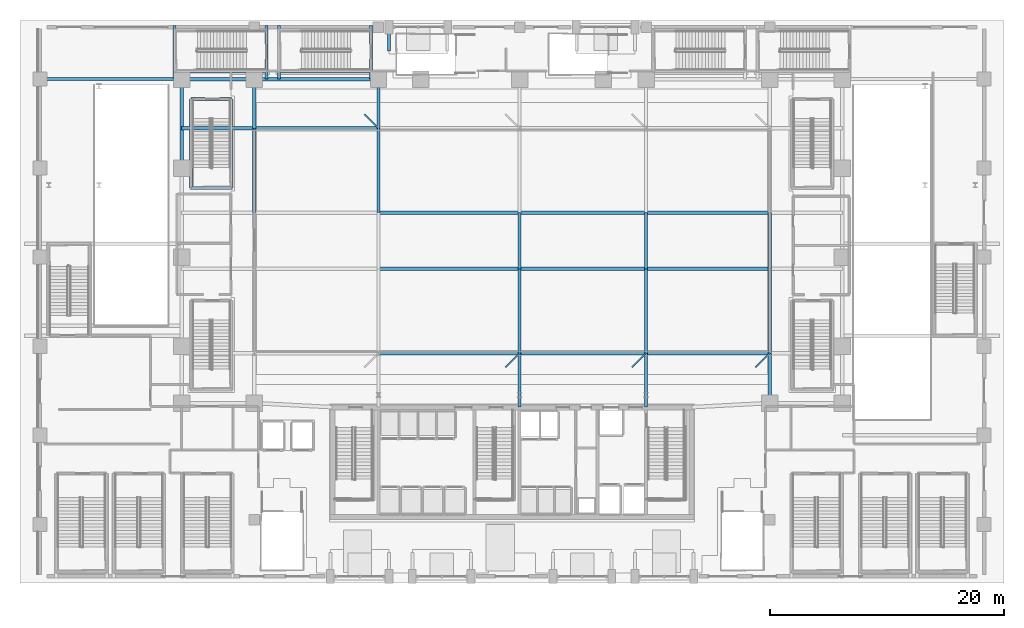
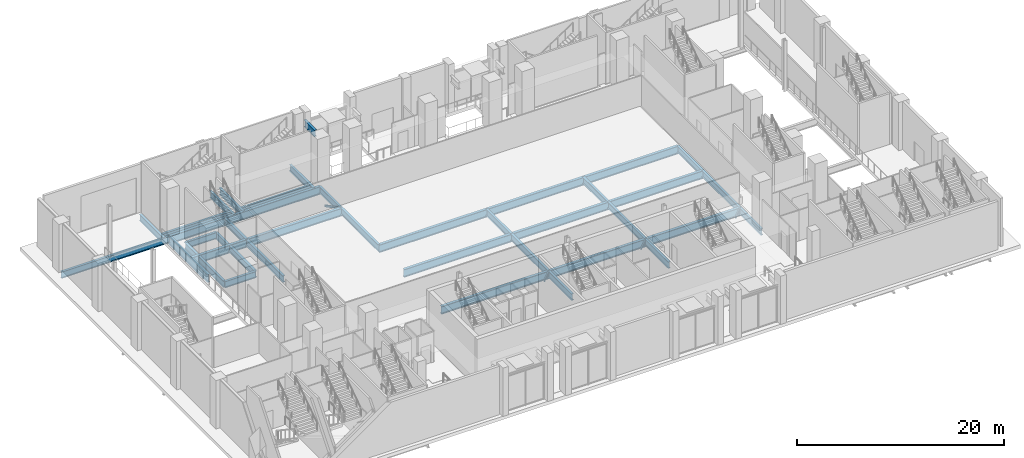
# One storey, part 10 of 36: 43 beams.
"""IFC4 building model written with IfcOpenShell, lengths in metres."""

from ifc_helpers import new_model, si_unit, direction, frame, origin, origin_2d, place, context, subcontext, project, spatial, i_section, extrude, material, material_profile, profile_set, type_object, element, save


model = new_model("IFC4")

# Units and contexts
model_context = context("Model", 3, precision=1e-05, world=origin(), true_north=direction((0.0, 1.0)))
body_context = subcontext(model_context, "Body", "Model", "MODEL_VIEW")
ifc_project = project(units=[si_unit("LENGTHUNIT", "METRE"), si_unit("AREAUNIT", "SQUARE_METRE"), si_unit("VOLUMEUNIT", "CUBIC_METRE"), si_unit("PLANEANGLEUNIT", "RADIAN"), si_unit("MASSUNIT", "GRAM", prefix="KILO")], contexts=[model_context])

# Site, building, storey
site_placement = place(None, origin())
site = spatial("IfcSite", under=ifc_project, at=site_placement, CompositionType="ELEMENT")
building_placement = place(site_placement, origin())
building = spatial("IfcBuilding", under=site, at=building_placement, Name="Ndaravel Arena Tower", CompositionType="ELEMENT")
storey_placement = place(building_placement, origin())
storey = spatial("IfcBuildingStorey", under=building, at=storey_placement, Name="L00", CompositionType="ELEMENT", Elevation=0.0)

# Beams
ifc_material_1 = material(Name="Steel S355", Category="steel")
ifc_material_profile_1 = material_profile(ifc_material_1, i_section(OverallWidth=0.1201171875, OverallDepth=0.239990234375, WebThickness=0.006103515625, FlangeThickness=0.009765625, FilletRadius=0.014892578125, at=origin_2d()), Name="IPE 240")
ifc_profile_set_1 = profile_set([ifc_material_profile_1], Name="Steel S355")
beam_type_1 = type_object("IfcBeamType", Name="BM-LINTEL-IPE240", PredefinedType="LINTEL", material=ifc_profile_set_1)
for number, where, z_axis, x_axis, name in (
    (1, (30.60009765625, 38.800048828125, -0.52001953125), (-0.707178703759, 0.707034851297, 0.0), (-0.707034851297, -0.707178703759, 0.0), "L00 North Stand Cradle Arm 1"),
    (2, (42.64990234375, 19.60009765625, -0.52001953125), (-0.707034851297, -0.707178703759, 0.0), (0.707178703759, -0.707034851297, 0.0), "L00 South Stand Cradle Arm 2"),
    (3, (53.449951171875, 19.60009765625, -0.52001953125), (-0.707034851297, -0.707178703759, 0.0), (0.707178703759, -0.707034851297, 0.0), "L00 South Stand Cradle Arm 3"),
    (4, (64.0, 19.60009765625, -0.52001953125), (-0.707034851297, -0.707178703759, 0.0), (0.707178703759, -0.707034851297, 0.0), "L00 South Stand Cradle Arm 4"),
):
    element("IfcBeam", number, at=place(storey_placement, frame(where, z_axis=z_axis, x_axis=x_axis)), inside=storey, type_object=beam_type_1, Name=name, PredefinedType="LINTEL", context=body_context, shape_type="SweptSolid", body=[
        extrude(i_section(OverallWidth=0.1201171875, OverallDepth=0.239990234375, WebThickness=0.006103515625, FlangeThickness=0.009765625, FilletRadius=0.014892578125, at=origin_2d()), origin(), (0.0, 0.0, 1.0), 1.697265625),
    ])
ifc_material_2 = material(Name="Steel S355", Category="steel")
ifc_material_profile_2 = material_profile(ifc_material_2, i_section(OverallWidth=0.26806640625, OverallDepth=0.769775390625, WebThickness=0.015625, FlangeThickness=0.025390625, FilletRadius=0.0166015625, at=origin_2d()), Name="UB 762x267x197")
ifc_profile_set_2 = profile_set([ifc_material_profile_2], Name="Steel S355")
beam_type_2 = type_object("IfcBeamType", Name="BM-POD-UB762", PredefinedType="BEAM", material=ifc_profile_set_2)
beam_1_placement = place(storey_placement, frame((31.5, 47.449951171875, 4.01513671875), z_axis=(0.0, -1.0, 0.0), x_axis=(1.0, 0.0, 0.0)))
element("IfcBeam", 5, at=beam_1_placement, inside=storey, type_object=beam_type_2, Name="L00 Entrance Canopy Cantilever Arm 05-1", PredefinedType="BEAM", context=body_context, shape_type="SweptSolid", body=[
    extrude(i_section(OverallWidth=0.26806640625, OverallDepth=0.769775390625, WebThickness=0.015625, FlangeThickness=0.025390625, FilletRadius=0.0166015625, at=origin_2d()), origin(), (0.0, 0.0, 1.0), 2.050048828125),
])
beam_2_placement = place(storey_placement, frame((1.699951171875, 43.0, -0.784912109375), z_axis=(1.0, 0.0, 0.0), x_axis=(0.0, 1.0, 0.0)))
element("IfcBeam", 6, at=beam_2_placement, inside=storey, type_object=beam_type_2, Name="L00 West Concourse Beam 04", PredefinedType="BEAM", context=body_context, shape_type="SweptSolid", body=[
    extrude(i_section(OverallWidth=0.26806640625, OverallDepth=0.769775390625, WebThickness=0.015625, FlangeThickness=0.025390625, FilletRadius=0.0166015625, at=origin_2d()), origin(), (0.0, 0.0, 1.0), 12.10009765625),
])
beam_3_placement = place(storey_placement, frame((20.0, 31.60009765625, -0.784912109375), z_axis=(0.0, 1.0, 0.0), x_axis=(-1.0, 0.0, 0.0)))
element("IfcBeam", 7, at=beam_3_placement, inside=storey, type_object=beam_type_2, Name="L00 Sub-Court Tie 1.31", PredefinedType="BEAM", context=body_context, shape_type="SweptSolid", body=[
    extrude(i_section(OverallWidth=0.26806640625, OverallDepth=0.769775390625, WebThickness=0.015625, FlangeThickness=0.025390625, FilletRadius=0.0166015625, at=origin_2d()), origin(), (0.0, 0.0, 1.0), 7.199951171875),
])
beam_4_placement = place(storey_placement, frame((20.0, 38.800048828125, -0.784912109375), z_axis=(0.0, 1.0, 0.0), x_axis=(-1.0, 0.0, 0.0)))
element("IfcBeam", 8, at=beam_4_placement, inside=storey, type_object=beam_type_2, Name="L00 Sub-Court Tie 1.38", PredefinedType="BEAM", context=body_context, shape_type="SweptSolid", body=[
    extrude(i_section(OverallWidth=0.26806640625, OverallDepth=0.769775390625, WebThickness=0.015625, FlangeThickness=0.025390625, FilletRadius=0.0166015625, at=origin_2d()), origin(), (0.0, 0.0, 1.0), 4.199951171875),
])
beam_5_placement = place(storey_placement, frame((30.60009765625, 31.60009765625, -0.784912109375), z_axis=(0.0, 1.0, 0.0), x_axis=(-1.0, 0.0, 0.0)))
element("IfcBeam", 9, at=beam_5_placement, inside=storey, type_object=beam_type_2, Name="L00 Sub-Court Tie 2.31", PredefinedType="BEAM", context=body_context, shape_type="SweptSolid", body=[
    extrude(i_section(OverallWidth=0.26806640625, OverallDepth=0.769775390625, WebThickness=0.015625, FlangeThickness=0.025390625, FilletRadius=0.0166015625, at=origin_2d()), origin(), (0.0, 0.0, 1.0), 7.199951171875),
])
beam_6_placement = place(storey_placement, frame((30.60009765625, 38.800048828125, -0.784912109375), z_axis=(0.0, 1.0, 0.0), x_axis=(-1.0, 0.0, 0.0)))
element("IfcBeam", 10, at=beam_6_placement, inside=storey, type_object=beam_type_2, Name="L00 Sub-Court Tie 2.38", PredefinedType="BEAM", context=body_context, shape_type="SweptSolid", body=[
    extrude(i_section(OverallWidth=0.26806640625, OverallDepth=0.769775390625, WebThickness=0.015625, FlangeThickness=0.025390625, FilletRadius=0.0166015625, at=origin_2d()), origin(), (0.0, 0.0, 1.0), 4.199951171875),
])
beam_7_placement = place(storey_placement, frame((42.64990234375, 15.0, -0.784912109375), z_axis=(0.0, 1.0, 0.0), x_axis=(-1.0, 0.0, 0.0)))
element("IfcBeam", 11, at=beam_7_placement, inside=storey, type_object=beam_type_2, Name="L00 Sub-Court Tie 3.15", PredefinedType="BEAM", context=body_context, shape_type="SweptSolid", body=[
    extrude(i_section(OverallWidth=0.26806640625, OverallDepth=0.769775390625, WebThickness=0.015625, FlangeThickness=0.025390625, FilletRadius=0.0166015625, at=origin_2d()), origin(), (0.0, 0.0, 1.0), 4.60009765625),
])
beam_8_placement = place(storey_placement, frame((42.64990234375, 19.60009765625, -0.784912109375), z_axis=(0.0, 1.0, 0.0), x_axis=(-1.0, 0.0, 0.0)))
element("IfcBeam", 12, at=beam_8_placement, inside=storey, type_object=beam_type_2, Name="L00 Sub-Court Tie 3.19", PredefinedType="BEAM", context=body_context, shape_type="SweptSolid", body=[
    extrude(i_section(OverallWidth=0.26806640625, OverallDepth=0.769775390625, WebThickness=0.015625, FlangeThickness=0.025390625, FilletRadius=0.0166015625, at=origin_2d()), origin(), (0.0, 0.0, 1.0), 7.199951171875),
])
beam_9_placement = place(storey_placement, frame((42.64990234375, 26.800048828125, -0.784912109375), z_axis=(0.0, 1.0, 0.0), x_axis=(-1.0, 0.0, 0.0)))
element("IfcBeam", 13, at=beam_9_placement, inside=storey, type_object=beam_type_2, Name="L00 Sub-Court Tie 3.26", PredefinedType="BEAM", context=body_context, shape_type="SweptSolid", body=[
    extrude(i_section(OverallWidth=0.26806640625, OverallDepth=0.769775390625, WebThickness=0.015625, FlangeThickness=0.025390625, FilletRadius=0.0166015625, at=origin_2d()), origin(), (0.0, 0.0, 1.0), 4.800048828125),
])
beam_10_placement = place(storey_placement, frame((53.449951171875, 15.0, -0.784912109375), z_axis=(0.0, 1.0, 0.0), x_axis=(-1.0, 0.0, 0.0)))
element("IfcBeam", 14, at=beam_10_placement, inside=storey, type_object=beam_type_2, Name="L00 Sub-Court Tie 4.15", PredefinedType="BEAM", context=body_context, shape_type="SweptSolid", body=[
    extrude(i_section(OverallWidth=0.26806640625, OverallDepth=0.769775390625, WebThickness=0.015625, FlangeThickness=0.025390625, FilletRadius=0.0166015625, at=origin_2d()), origin(), (0.0, 0.0, 1.0), 4.60009765625),
])
beam_11_placement = place(storey_placement, frame((53.449951171875, 19.60009765625, -0.784912109375), z_axis=(0.0, 1.0, 0.0), x_axis=(-1.0, 0.0, 0.0)))
element("IfcBeam", 15, at=beam_11_placement, inside=storey, type_object=beam_type_2, Name="L00 Sub-Court Tie 4.19", PredefinedType="BEAM", context=body_context, shape_type="SweptSolid", body=[
    extrude(i_section(OverallWidth=0.26806640625, OverallDepth=0.769775390625, WebThickness=0.015625, FlangeThickness=0.025390625, FilletRadius=0.0166015625, at=origin_2d()), origin(), (0.0, 0.0, 1.0), 7.199951171875),
])
beam_12_placement = place(storey_placement, frame((53.449951171875, 26.800048828125, -0.784912109375), z_axis=(0.0, 1.0, 0.0), x_axis=(-1.0, 0.0, 0.0)))
element("IfcBeam", 16, at=beam_12_placement, inside=storey, type_object=beam_type_2, Name="L00 Sub-Court Tie 4.26", PredefinedType="BEAM", context=body_context, shape_type="SweptSolid", body=[
    extrude(i_section(OverallWidth=0.26806640625, OverallDepth=0.769775390625, WebThickness=0.015625, FlangeThickness=0.025390625, FilletRadius=0.0166015625, at=origin_2d()), origin(), (0.0, 0.0, 1.0), 4.800048828125),
])
beam_13_placement = place(storey_placement, frame((64.0, 15.35009765625, -0.784912109375), z_axis=(0.0, 1.0, 0.0), x_axis=(-1.0, 0.0, 0.0)))
element("IfcBeam", 17, at=beam_13_placement, inside=storey, type_object=beam_type_2, Name="L00 Sub-Court Tie 5.15", PredefinedType="BEAM", context=body_context, shape_type="SweptSolid", body=[
    extrude(i_section(OverallWidth=0.26806640625, OverallDepth=0.769775390625, WebThickness=0.015625, FlangeThickness=0.025390625, FilletRadius=0.0166015625, at=origin_2d()), origin(), (0.0, 0.0, 1.0), 4.25),
])
beam_14_placement = place(storey_placement, frame((64.0, 19.60009765625, -0.784912109375), z_axis=(0.0, 1.0, 0.0), x_axis=(-1.0, 0.0, 0.0)))
element("IfcBeam", 18, at=beam_14_placement, inside=storey, type_object=beam_type_2, Name="L00 Sub-Court Tie 5.19", PredefinedType="BEAM", context=body_context, shape_type="SweptSolid", body=[
    extrude(i_section(OverallWidth=0.26806640625, OverallDepth=0.769775390625, WebThickness=0.015625, FlangeThickness=0.025390625, FilletRadius=0.0166015625, at=origin_2d()), origin(), (0.0, 0.0, 1.0), 7.199951171875),
])
beam_15_placement = place(storey_placement, frame((64.0, 26.800048828125, -0.784912109375), z_axis=(0.0, 1.0, 0.0), x_axis=(-1.0, 0.0, 0.0)))
element("IfcBeam", 19, at=beam_15_placement, inside=storey, type_object=beam_type_2, Name="L00 Sub-Court Tie 5.26", PredefinedType="BEAM", context=body_context, shape_type="SweptSolid", body=[
    extrude(i_section(OverallWidth=0.26806640625, OverallDepth=0.769775390625, WebThickness=0.015625, FlangeThickness=0.025390625, FilletRadius=0.0166015625, at=origin_2d()), origin(), (0.0, 0.0, 1.0), 4.800048828125),
])
for number, where, z_axis, x_axis, name in (
    (20, (13.199951171875, 43.0, -0.784912109375), (0.0, 1.0, 0.0), (-1.0, 0.0, 0.0), "L00 Stair ST-A08 North Tie Girder 1"),
    (21, (21.050048828125, 43.0, -0.784912109375), (0.0, 1.0, 0.0), (-1.0, 0.0, 0.0), "L00 Stair ST-A08 North Tie Girder 2"),
):
    element("IfcBeam", number, at=place(storey_placement, frame(where, z_axis=z_axis, x_axis=x_axis)), inside=storey, type_object=beam_type_2, Name=name, PredefinedType="BEAM", context=body_context, shape_type="SweptSolid", body=[
        extrude(i_section(OverallWidth=0.26806640625, OverallDepth=0.769775390625, WebThickness=0.015625, FlangeThickness=0.025390625, FilletRadius=0.0166015625, at=origin_2d()), origin(), (0.0, 0.0, 1.0), 4.60009765625),
    ])
beam_16_placement = place(storey_placement, frame((13.199951171875, 43.659912109375, -0.784912109375), z_axis=(1.0, 0.0, 0.0), x_axis=(0.0, 1.0, 0.0)))
element("IfcBeam", 22, at=beam_16_placement, inside=storey, type_object=beam_type_2, Name="L00 Stair ST-A08 Inner Carrier Beam", PredefinedType="BEAM", context=body_context, shape_type="SweptSolid", body=[
    extrude(i_section(OverallWidth=0.26806640625, OverallDepth=0.769775390625, WebThickness=0.015625, FlangeThickness=0.025390625, FilletRadius=0.0166015625, at=origin_2d()), origin(), (0.0, 0.0, 1.0), 7.85009765625),
])
for number, where, z_axis, x_axis, name in (
    (23, (22.10009765625, 43.0, -0.784912109375), (0.0, 1.0, 0.0), (-1.0, 0.0, 0.0), "L00 Stair ST-A09 North Tie Girder 1"),
    (24, (29.949951171875, 43.0, -0.784912109375), (0.0, 1.0, 0.0), (-1.0, 0.0, 0.0), "L00 Stair ST-A09 North Tie Girder 2"),
):
    element("IfcBeam", number, at=place(storey_placement, frame(where, z_axis=z_axis, x_axis=x_axis)), inside=storey, type_object=beam_type_2, Name=name, PredefinedType="BEAM", context=body_context, shape_type="SweptSolid", body=[
        extrude(i_section(OverallWidth=0.26806640625, OverallDepth=0.769775390625, WebThickness=0.015625, FlangeThickness=0.025390625, FilletRadius=0.0166015625, at=origin_2d()), origin(), (0.0, 0.0, 1.0), 4.60009765625),
    ])
beam_17_placement = place(storey_placement, frame((22.10009765625, 43.659912109375, -0.784912109375), z_axis=(1.0, 0.0, 0.0), x_axis=(0.0, 1.0, 0.0)))
element("IfcBeam", 25, at=beam_17_placement, inside=storey, type_object=beam_type_2, Name="L00 Stair ST-A09 Inner Carrier Beam", PredefinedType="BEAM", context=body_context, shape_type="SweptSolid", body=[
    extrude(i_section(OverallWidth=0.26806640625, OverallDepth=0.769775390625, WebThickness=0.015625, FlangeThickness=0.025390625, FilletRadius=0.0166015625, at=origin_2d()), origin(), (0.0, 0.0, 1.0), 7.849853515625),
])
for number, where, z_axis, x_axis, name in (
    (26, (14.60009765625, 33.699951171875, -0.784912109375), (0.0, 1.0, 0.0), (-1.0, 0.0, 0.0), "L00 Stair ST-VOM-2 Vomitory Side Beam 1"),
    (27, (18.06005859375, 33.699951171875, -0.784912109375), (0.0, 1.0, 0.0), (-1.0, 0.0, 0.0), "L00 Stair ST-VOM-2 Vomitory Side Beam 2"),
):
    element("IfcBeam", number, at=place(storey_placement, frame(where, z_axis=z_axis, x_axis=x_axis)), inside=storey, type_object=beam_type_2, Name=name, PredefinedType="BEAM", context=body_context, shape_type="SweptSolid", body=[
        extrude(i_section(OverallWidth=0.26806640625, OverallDepth=0.769775390625, WebThickness=0.015625, FlangeThickness=0.025390625, FilletRadius=0.0166015625, at=origin_2d()), origin(), (0.0, 0.0, 1.0), 7.60009765625),
    ])
for number, where, z_axis, x_axis, name in (
    (28, (14.60009765625, 33.699951171875, -0.784912109375), (1.0, 0.0, 0.0), (0.0, 1.0, 0.0), "L00 Stair ST-VOM-2 Vomitory End Beam 1"),
    (29, (14.60009765625, 41.300048828125, -0.784912109375), (1.0, 0.0, 0.0), (0.0, 1.0, 0.0), "L00 Stair ST-VOM-2 Vomitory End Beam 2"),
):
    element("IfcBeam", number, at=place(storey_placement, frame(where, z_axis=z_axis, x_axis=x_axis)), inside=storey, type_object=beam_type_2, Name=name, PredefinedType="BEAM", context=body_context, shape_type="SweptSolid", body=[
        extrude(i_section(OverallWidth=0.26806640625, OverallDepth=0.769775390625, WebThickness=0.015625, FlangeThickness=0.025390625, FilletRadius=0.0166015625, at=origin_2d()), origin(), (0.0, 0.0, 1.0), 3.4599609375),
    ])
ifc_material_3 = material(Name="Steel S355", Category="steel")
ifc_material_profile_3 = material_profile(ifc_material_3, i_section(OverallWidth=0.3076171875, OverallDepth=0.926513671875, WebThickness=0.01953125, FlangeThickness=0.031982421875, FilletRadius=0.01904296875, at=origin_2d()), Name="UB 914x305x289")
ifc_profile_set_3 = profile_set([ifc_material_profile_3], Name="Steel S355")
beam_type_3 = type_object("IfcBeamType", Name="BM-POD-UB914B", PredefinedType="BEAM", material=ifc_profile_set_3)
beam_18_placement = place(storey_placement, frame((13.800048828125, 35.39990234375, -0.86328125), z_axis=(0.0, 1.0, 0.0), x_axis=(-1.0, 0.0, 0.0)))
element("IfcBeam", 30, at=beam_18_placement, inside=storey, type_object=beam_type_3, Name="L00 Arena Ring Girder 04", PredefinedType="BEAM", context=body_context, shape_type="SweptSolid", body=[
    extrude(i_section(OverallWidth=0.3076171875, OverallDepth=0.926513671875, WebThickness=0.01953125, FlangeThickness=0.031982421875, FilletRadius=0.01904296875, at=origin_2d()), origin(), (0.0, 0.0, 1.0), 7.60009765625),
])
beam_19_placement = place(storey_placement, frame((13.800048828125, 43.0, -0.86328125), z_axis=(1.0, 0.0, 0.0), x_axis=(0.0, 1.0, 0.0)))
element("IfcBeam", 31, at=beam_19_placement, inside=storey, type_object=beam_type_3, Name="L00 Arena Ring Girder 09", PredefinedType="BEAM", context=body_context, shape_type="SweptSolid", body=[
    extrude(i_section(OverallWidth=0.3076171875, OverallDepth=0.926513671875, WebThickness=0.01953125, FlangeThickness=0.031982421875, FilletRadius=0.01904296875, at=origin_2d()), origin(), (0.0, 0.0, 1.0), 6.199951171875),
])
beam_20_placement = place(storey_placement, frame((20.0, 43.0, -0.86328125), z_axis=(1.0, 0.0, 0.0), x_axis=(0.0, 1.0, 0.0)))
element("IfcBeam", 32, at=beam_20_placement, inside=storey, type_object=beam_type_3, Name="L00 Arena Ring Girder 10", PredefinedType="BEAM", context=body_context, shape_type="SweptSolid", body=[
    extrude(i_section(OverallWidth=0.3076171875, OverallDepth=0.926513671875, WebThickness=0.01953125, FlangeThickness=0.031982421875, FilletRadius=0.01904296875, at=origin_2d()), origin(), (0.0, 0.0, 1.0), 10.60009765625),
])
beam_21_placement = place(storey_placement, frame((30.60009765625, 19.60009765625, -0.86328125), z_axis=(1.0, 0.0, 0.0), x_axis=(0.0, 1.0, 0.0)))
element("IfcBeam", 33, at=beam_21_placement, inside=storey, type_object=beam_type_3, Name="L00 Sub-Court Girder 1.3", PredefinedType="BEAM", context=body_context, shape_type="SweptSolid", body=[
    extrude(i_section(OverallWidth=0.3076171875, OverallDepth=0.926513671875, WebThickness=0.01953125, FlangeThickness=0.031982421875, FilletRadius=0.01904296875, at=origin_2d()), origin(), (0.0, 0.0, 1.0), 12.0498046875),
])
beam_22_placement = place(storey_placement, frame((42.64990234375, 19.60009765625, -0.86328125), z_axis=(1.0, 0.0, 0.0), x_axis=(0.0, 1.0, 0.0)))
element("IfcBeam", 34, at=beam_22_placement, inside=storey, type_object=beam_type_3, Name="L00 Sub-Court Girder 1.4", PredefinedType="BEAM", context=body_context, shape_type="SweptSolid", body=[
    extrude(i_section(OverallWidth=0.3076171875, OverallDepth=0.926513671875, WebThickness=0.01953125, FlangeThickness=0.031982421875, FilletRadius=0.01904296875, at=origin_2d()), origin(), (0.0, 0.0, 1.0), 10.800048828125),
])
beam_23_placement = place(storey_placement, frame((53.449951171875, 19.60009765625, -0.86328125), z_axis=(1.0, 0.0, 0.0), x_axis=(0.0, 1.0, 0.0)))
element("IfcBeam", 35, at=beam_23_placement, inside=storey, type_object=beam_type_3, Name="L00 Sub-Court Girder 1.5", PredefinedType="BEAM", context=body_context, shape_type="SweptSolid", body=[
    extrude(i_section(OverallWidth=0.3076171875, OverallDepth=0.926513671875, WebThickness=0.01953125, FlangeThickness=0.031982421875, FilletRadius=0.01904296875, at=origin_2d()), origin(), (0.0, 0.0, 1.0), 10.550048828125),
])
beam_24_placement = place(storey_placement, frame((30.60009765625, 26.800048828125, -0.86328125), z_axis=(1.0, 0.0, 0.0), x_axis=(0.0, 1.0, 0.0)))
element("IfcBeam", 36, at=beam_24_placement, inside=storey, type_object=beam_type_3, Name="L00 Sub-Court Girder 2.3", PredefinedType="BEAM", context=body_context, shape_type="SweptSolid", body=[
    extrude(i_section(OverallWidth=0.3076171875, OverallDepth=0.926513671875, WebThickness=0.01953125, FlangeThickness=0.031982421875, FilletRadius=0.01904296875, at=origin_2d()), origin(), (0.0, 0.0, 1.0), 12.0498046875),
])
beam_25_placement = place(storey_placement, frame((42.64990234375, 26.800048828125, -0.86328125), z_axis=(1.0, 0.0, 0.0), x_axis=(0.0, 1.0, 0.0)))
element("IfcBeam", 37, at=beam_25_placement, inside=storey, type_object=beam_type_3, Name="L00 Sub-Court Girder 2.4", PredefinedType="BEAM", context=body_context, shape_type="SweptSolid", body=[
    extrude(i_section(OverallWidth=0.3076171875, OverallDepth=0.926513671875, WebThickness=0.01953125, FlangeThickness=0.031982421875, FilletRadius=0.01904296875, at=origin_2d()), origin(), (0.0, 0.0, 1.0), 10.800048828125),
])
beam_26_placement = place(storey_placement, frame((53.449951171875, 26.800048828125, -0.86328125), z_axis=(1.0, 0.0, 0.0), x_axis=(0.0, 1.0, 0.0)))
element("IfcBeam", 38, at=beam_26_placement, inside=storey, type_object=beam_type_3, Name="L00 Sub-Court Girder 2.5", PredefinedType="BEAM", context=body_context, shape_type="SweptSolid", body=[
    extrude(i_section(OverallWidth=0.3076171875, OverallDepth=0.926513671875, WebThickness=0.01953125, FlangeThickness=0.031982421875, FilletRadius=0.01904296875, at=origin_2d()), origin(), (0.0, 0.0, 1.0), 10.550048828125),
])
beam_27_placement = place(storey_placement, frame((30.60009765625, 31.60009765625, -0.86328125), z_axis=(1.0, 0.0, 0.0), x_axis=(0.0, 1.0, 0.0)))
element("IfcBeam", 39, at=beam_27_placement, inside=storey, type_object=beam_type_3, Name="L00 Sub-Court Girder 3.3", PredefinedType="BEAM", context=body_context, shape_type="SweptSolid", body=[
    extrude(i_section(OverallWidth=0.3076171875, OverallDepth=0.926513671875, WebThickness=0.01953125, FlangeThickness=0.031982421875, FilletRadius=0.01904296875, at=origin_2d()), origin(), (0.0, 0.0, 1.0), 12.0498046875),
])
beam_28_placement = place(storey_placement, frame((42.64990234375, 31.60009765625, -0.86328125), z_axis=(1.0, 0.0, 0.0), x_axis=(0.0, 1.0, 0.0)))
element("IfcBeam", 40, at=beam_28_placement, inside=storey, type_object=beam_type_3, Name="L00 Sub-Court Girder 3.4", PredefinedType="BEAM", context=body_context, shape_type="SweptSolid", body=[
    extrude(i_section(OverallWidth=0.3076171875, OverallDepth=0.926513671875, WebThickness=0.01953125, FlangeThickness=0.031982421875, FilletRadius=0.01904296875, at=origin_2d()), origin(), (0.0, 0.0, 1.0), 10.800048828125),
])
beam_29_placement = place(storey_placement, frame((53.449951171875, 31.60009765625, -0.86328125), z_axis=(1.0, 0.0, 0.0), x_axis=(0.0, 1.0, 0.0)))
element("IfcBeam", 41, at=beam_29_placement, inside=storey, type_object=beam_type_3, Name="L00 Sub-Court Girder 3.5", PredefinedType="BEAM", context=body_context, shape_type="SweptSolid", body=[
    extrude(i_section(OverallWidth=0.3076171875, OverallDepth=0.926513671875, WebThickness=0.01953125, FlangeThickness=0.031982421875, FilletRadius=0.01904296875, at=origin_2d()), origin(), (0.0, 0.0, 1.0), 10.550048828125),
])
beam_30_placement = place(storey_placement, frame((13.800048828125, 38.800048828125, -0.86328125), z_axis=(1.0, 0.0, 0.0), x_axis=(0.0, 1.0, 0.0)))
element("IfcBeam", 42, at=beam_30_placement, inside=storey, type_object=beam_type_3, Name="L00 Sub-Court Girder 4.1", PredefinedType="BEAM", context=body_context, shape_type="SweptSolid", body=[
    extrude(i_section(OverallWidth=0.3076171875, OverallDepth=0.926513671875, WebThickness=0.01953125, FlangeThickness=0.031982421875, FilletRadius=0.01904296875, at=origin_2d()), origin(), (0.0, 0.0, 1.0), 6.199951171875),
])
beam_31_placement = place(storey_placement, frame((20.0, 38.800048828125, -0.86328125), z_axis=(1.0, 0.0, 0.0), x_axis=(0.0, 1.0, 0.0)))
element("IfcBeam", 43, at=beam_31_placement, inside=storey, type_object=beam_type_3, Name="L00 Sub-Court Girder 4.2", PredefinedType="BEAM", context=body_context, shape_type="SweptSolid", body=[
    extrude(i_section(OverallWidth=0.3076171875, OverallDepth=0.926513671875, WebThickness=0.01953125, FlangeThickness=0.031982421875, FilletRadius=0.01904296875, at=origin_2d()), origin(), (0.0, 0.0, 1.0), 10.60009765625),
])

save(model, "model.ifc")
